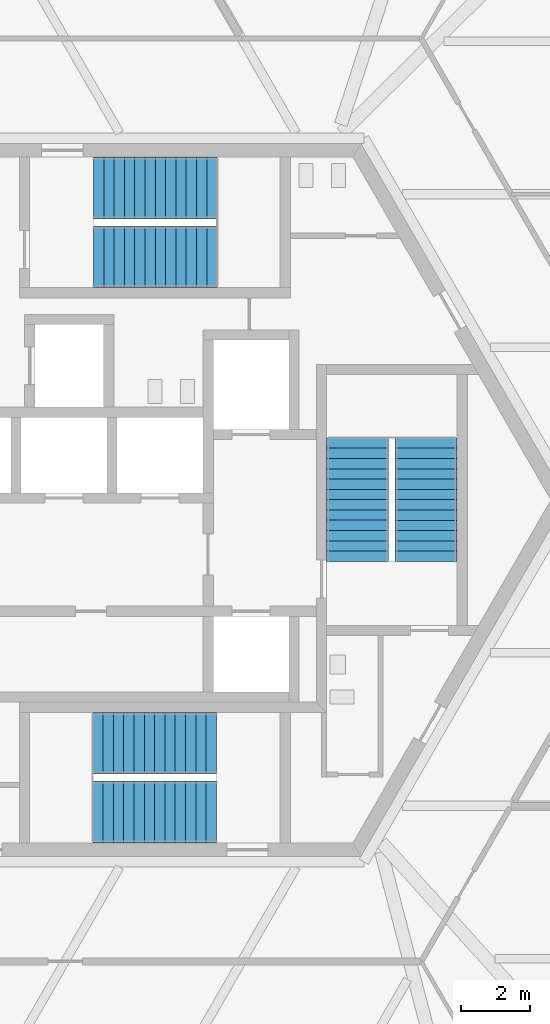
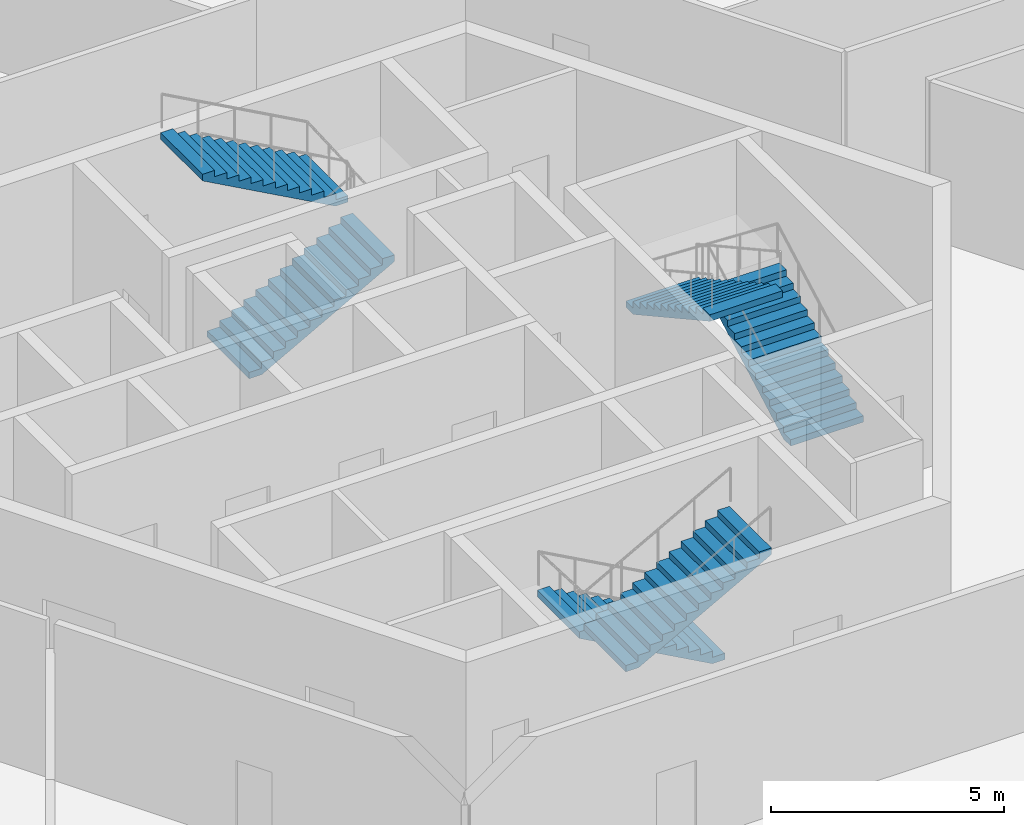
# One storey, part 15 of 17: 6 stair flights, 3 elements without a shape of their own.
"""IFC4 building model written with IfcOpenShell, lengths in metres."""

from ifc_helpers import new_model, si_unit, direction, frame, origin, place, context, subcontext, project, spatial, polyline, outline, extrude, source, transform, mapped, material, type_object, element, aggregate, save


model = new_model("IFC4")

# Units and contexts
model_context = context("Model", 3, precision=1e-05, world=origin(), true_north=direction((0.0, 1.0)))
body_context = subcontext(model_context, "Body", "Model", "MODEL_VIEW")
ifc_project = project(units=[si_unit("LENGTHUNIT", "METRE"), si_unit("AREAUNIT", "SQUARE_METRE"), si_unit("VOLUMEUNIT", "CUBIC_METRE"), si_unit("PLANEANGLEUNIT", "RADIAN"), si_unit("MASSUNIT", "GRAM", prefix="KILO")], contexts=[model_context])

# Site, building, storey
site_placement = place(None, origin())
site = spatial("IfcSite", under=ifc_project, at=site_placement, CompositionType="ELEMENT")
building_placement = place(site_placement, origin())
building = spatial("IfcBuilding", under=site, at=building_placement, Name="Triune Harvest Tower", CompositionType="ELEMENT")
storey_placement = place(building_placement, frame((0.0, 0.0, 46.10009765625)))
storey = spatial("IfcBuildingStorey", under=building, at=storey_placement, Name="L10", CompositionType="ELEMENT", Elevation=46.10009765625)

# Stair, stair flights
ifc_material_1 = material(Name="Concrete 40 MPa", Category="concrete")
stair_type = type_object("IfcStairType", Name="Exit stair 1800 half turn", PredefinedType="HALF_TURN_STAIR", material=ifc_material_1)
stair_1_placement = place(storey_placement, origin())
stair_1 = element("IfcStair", 1, at=stair_1_placement, inside=storey, type_object=stair_type, Name="Exit stair north", PredefinedType="HALF_TURN_STAIR")
ifc_material_2 = material(Name="Concrete 40 MPa", Category="concrete")
stair_flight_type = type_object("IfcStairFlightType", Name="Stair flight 1800", PredefinedType="STRAIGHT", material=ifc_material_2)
shared_shape = source(origin(), body_context, "Body", "SweptSolid", [
    extrude(outline(polyline([(0.0, 0.0), (0.0, 0.165283203125), (0.300048828125, 0.165283203125), (0.300048828125, 0.330810546875), (0.60009765625, 0.330810546875), (0.60009765625, 0.49609375), (0.89990234375, 0.49609375), (0.89990234375, 0.66162109375), (1.199951171875, 0.66162109375), (1.199951171875, 0.826904296875), (1.5, 0.826904296875), (1.5, 0.9921875), (1.800048828125, 0.9921875), (1.800048828125, 1.15771484375), (2.10009765625, 1.15771484375), (2.10009765625, 1.322998046875), (2.39990234375, 1.322998046875), (2.39990234375, 1.488525390625), (2.699951171875, 1.488525390625), (2.699951171875, 1.65380859375), (3.0, 1.65380859375), (3.0, 1.819091796875), (3.300048828125, 1.819091796875), (3.300048828125, 1.984619140625), (3.60009765625, 1.984619140625), (3.60009765625, 2.14990234375), (3.60009765625, 1.8134765625), (0.310546875, 0.0), (0.0, 0.0)])), frame((0.0, 0.89990234375, 0.0), z_axis=(0.0, -1.0, 0.0), x_axis=(1.0, 0.0, 0.0)), (0.0, 0.0, 1.0), 1.800048828125),
])
stair_flight_1_placement = place(storey_placement, frame((-1.7900390625, 7.090087890625, 0.0), z_axis=(0.0, 0.0, 1.0), x_axis=(1.0, 0.0, 0.0)))
stair_flight_1 = element("IfcStairFlight", 2, at=stair_flight_1_placement, type_object=stair_flight_type, Name="ST-1 flight 1", NumberOfRisers=13, NumberOfTreads=12, PredefinedType="STRAIGHT", RiserHeight=0.16538, TreadLength=0.3, context=body_context, shape_type="MappedRepresentation", body=[
    mapped(shared_shape, transform((0.0, 0.0, 0.0), scale=1.0)),
])
stair_flight_2_placement = place(storey_placement, frame((1.81005859375, 9.090087890625, 2.14990234375), z_axis=(0.0, 0.0, 1.0), x_axis=(-1.0, 0.0, 0.0)))
stair_flight_2 = element("IfcStairFlight", 3, at=stair_flight_2_placement, type_object=stair_flight_type, Name="ST-1 flight 2", NumberOfRisers=13, NumberOfTreads=12, PredefinedType="STRAIGHT", RiserHeight=0.16538, TreadLength=0.3, context=body_context, shape_type="MappedRepresentation", body=[
    mapped(shared_shape, transform((0.0, 0.0, 0.0), scale=1.0)),
])
aggregate(stair_1, [stair_flight_1, stair_flight_2])

stair_2_placement = place(storey_placement, origin())
stair_2 = element("IfcStair", 4, at=stair_2_placement, inside=storey, type_object=stair_type, Name="Exit stair south", PredefinedType="HALF_TURN_STAIR")
stair_flight_3_placement = place(storey_placement, frame((1.7900390625, -7.090087890625, 0.0), z_axis=(0.0, 0.0, 1.0), x_axis=(-1.0, 0.0, 0.0)))
stair_flight_3 = element("IfcStairFlight", 5, at=stair_flight_3_placement, type_object=stair_flight_type, Name="ST-2 flight 1", NumberOfRisers=13, NumberOfTreads=12, PredefinedType="STRAIGHT", RiserHeight=0.16538, TreadLength=0.3, context=body_context, shape_type="MappedRepresentation", body=[
    mapped(shared_shape, transform((0.0, 0.0, 0.0), scale=1.0)),
])
stair_flight_4_placement = place(storey_placement, frame((-1.81005859375, -9.090087890625, 2.14990234375), z_axis=(0.0, 0.0, 1.0), x_axis=(1.0, 0.0, 0.0)))
stair_flight_4 = element("IfcStairFlight", 6, at=stair_flight_4_placement, type_object=stair_flight_type, Name="ST-2 flight 2", NumberOfRisers=13, NumberOfTreads=12, PredefinedType="STRAIGHT", RiserHeight=0.16538, TreadLength=0.3, context=body_context, shape_type="MappedRepresentation", body=[
    mapped(shared_shape, transform((0.0, 0.0, 0.0), scale=1.0)),
])
aggregate(stair_2, [stair_flight_3, stair_flight_4])

stair_3_placement = place(storey_placement, origin())
stair_3 = element("IfcStair", 7, at=stair_3_placement, inside=storey, type_object=stair_type, Name="Exit stair east", PredefinedType="HALF_TURN_STAIR")
stair_flight_5_placement = place(storey_placement, frame((7.89990234375, -1.7900390625, 0.0), z_axis=(0.0, 0.0, 1.0), x_axis=(0.0, 1.0, 0.0)))
stair_flight_5 = element("IfcStairFlight", 8, at=stair_flight_5_placement, type_object=stair_flight_type, Name="ST-3 flight 1", NumberOfRisers=13, NumberOfTreads=12, PredefinedType="STRAIGHT", RiserHeight=0.16538, TreadLength=0.3, context=body_context, shape_type="MappedRepresentation", body=[
    mapped(shared_shape, transform((0.0, 0.0, 0.0), scale=1.0)),
])
stair_flight_6_placement = place(storey_placement, frame((5.89990234375, 1.81005859375, 2.14990234375), z_axis=(0.0, 0.0, 1.0), x_axis=(0.0, -1.0, 0.0)))
stair_flight_6 = element("IfcStairFlight", 9, at=stair_flight_6_placement, type_object=stair_flight_type, Name="ST-3 flight 2", NumberOfRisers=13, NumberOfTreads=12, PredefinedType="STRAIGHT", RiserHeight=0.16538, TreadLength=0.3, context=body_context, shape_type="MappedRepresentation", body=[
    mapped(shared_shape, transform((0.0, 0.0, 0.0), scale=1.0)),
])
aggregate(stair_3, [stair_flight_5, stair_flight_6])

save(model, "model.ifc")
